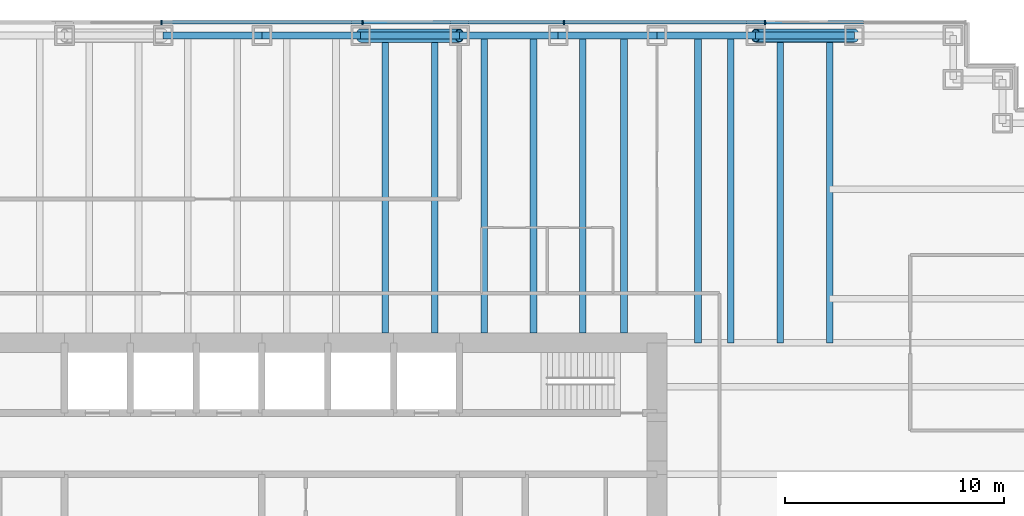
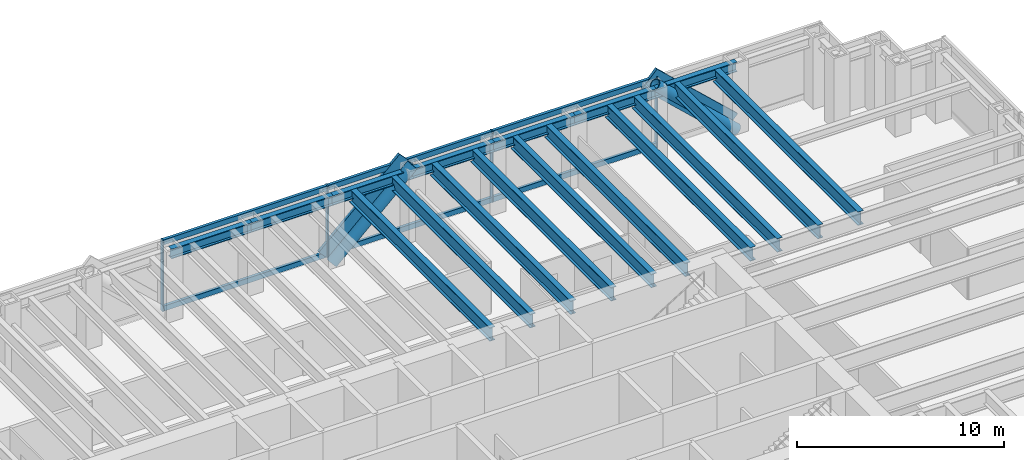
# One storey, part 7 of 17: 17 beams, 14 members, 1 element without a shape of its own.
"""IFC4 building model written with IfcOpenShell, lengths in metres."""

import ifcopenshell
import ifcopenshell.guid

model = None  # the IFC model being written
_history = None  # IfcOwnerHistory: only IFC2X3 demands one
_inside = {}  # id of a spatial element -> (the spatial element, [elements in it])
_under = {}  # id of a project, library or spatial element -> (it, [spatial elements below it])
_declared = {}  # id of a project -> (the project, [libraries it declares])
_typed = {}  # id of a type object -> (the type object, [elements of that type])
_made_of = {}  # id of a material, layer set ... -> (it, [elements and type objects made of it])


def new_model(schema):
    """Start an empty IFC model of exactly this schema.

    Asked for "IFC4X3", IfcOpenShell would pick the latest addendum, in which some entities
    have other attributes; the version numbers below select the first issue.
    IFC2X3 requires an IfcOwnerHistory on every rooted entity: one is made here for all.
    """
    global model, _history
    if schema == "IFC4X3":
        model = ifcopenshell.file(schema_version=(4, 3, 0, 0))
    else:
        model = ifcopenshell.file(schema=schema)
    _inside.clear()
    _under.clear()
    _declared.clear()
    _typed.clear()
    _made_of.clear()
    _history = None
    if model.schema == "IFC2X3":
        org = make("IfcOrganization", Name="unknown")
        user = make(
            "IfcPersonAndOrganization",
            ThePerson=make("IfcPerson", FamilyName="unknown"),
            TheOrganization=org,
        )
        app = make(
            "IfcApplication",
            ApplicationDeveloper=org,
            Version="unknown",
            ApplicationFullName="unknown",
            ApplicationIdentifier="unknown",
        )
        _history = make(
            "IfcOwnerHistory",
            OwningUser=user,
            OwningApplication=app,
            ChangeAction="ADDED",
            CreationDate=0,
        )
    return model


def make(cls, **values):
    """One entity of the class cls with the attributes given. An attribute that is None is left unset."""
    return model.create_entity(
        cls, **{name: value for name, value in values.items() if value is not None}
    )


def rooted(cls, **values):
    """An entity with a GlobalId (a new one), such as an element, a storey or a relation."""
    return make(cls, GlobalId=ifcopenshell.guid.new(), OwnerHistory=_history, **values)


def si_unit(unit_type, name, prefix=None):
    """IfcSIUnit, for example si_unit("LENGTHUNIT", "METRE", prefix="MILLI")."""
    return make("IfcSIUnit", UnitType=unit_type, Prefix=prefix, Name=name)


def assignment(units):
    """IfcUnitAssignment: the units of a project."""
    return None if units is None else make("IfcUnitAssignment", Units=units)


def point(xyz):
    """IfcCartesianPoint."""
    return None if xyz is None else make("IfcCartesianPoint", Coordinates=xyz)


def direction(xyz):
    """IfcDirection."""
    return None if xyz is None else make("IfcDirection", DirectionRatios=xyz)


def frame(location, z_axis=None, x_axis=None):
    """IfcAxis2Placement3D, a coordinate frame: its origin and axes. An axis left out is left unset."""
    return make(
        "IfcAxis2Placement3D",
        Location=point(location),
        Axis=direction(z_axis),
        RefDirection=direction(x_axis),
    )


def frame_2d(location, x_axis=None):
    """IfcAxis2Placement2D, a coordinate frame in the plane: its origin and x axis."""
    return make(
        "IfcAxis2Placement2D", Location=point(location), RefDirection=direction(x_axis)
    )


def origin():
    """The frame at (0, 0, 0) with its axes left unset."""
    return frame((0.0, 0.0, 0.0))


def origin_2d():
    """The frame at (0, 0) in the plane with its x axis left unset."""
    return frame_2d((0.0, 0.0))


def place(relative_to, where):
    """IfcLocalPlacement: puts the frame where relative to a parent placement (None: the world)."""
    return make(
        "IfcLocalPlacement", PlacementRelTo=relative_to, RelativePlacement=where
    )


def context(
    kind, dimensions, precision=None, world=None, true_north=None, identifier=None
):
    """IfcGeometricRepresentationContext, for example the 3D "Model" context."""
    return make(
        "IfcGeometricRepresentationContext",
        ContextIdentifier=identifier,
        ContextType=kind,
        CoordinateSpaceDimension=dimensions,
        Precision=precision,
        WorldCoordinateSystem=world,
        TrueNorth=true_north,
    )


def subcontext(parent, identifier, kind, view, scale=None):
    """IfcGeometricRepresentationSubContext, for example "Body" below "Model"."""
    return make(
        "IfcGeometricRepresentationSubContext",
        ContextIdentifier=identifier,
        ContextType=kind,
        ParentContext=parent,
        TargetScale=scale,
        TargetView=view,
    )


def project(units=None, contexts=None):
    """IfcProject with its units and contexts."""
    return rooted(
        "IfcProject",
        Name="project",
        RepresentationContexts=contexts,
        UnitsInContext=assignment(units),
    )


def spatial(cls, under=None, at=None, **own):
    """A site, building, storey or space (cls), placed at a placement, below another one or the project."""
    s = rooted(cls, ObjectPlacement=at, **own)
    if under is not None:
        _under.setdefault(under.id(), (under, []))[1].append(s)
    return s


def profile(cls, at=None, kind="AREA", **sizes):
    """A parametric profile (cls). Its sizes go by their IFC names, for example OverallWidth=200.0."""
    return make(cls, ProfileType=kind, Position=at, **sizes)


def rectangle(**sizes):
    """IfcRectangleProfileDef."""
    return profile("IfcRectangleProfileDef", **sizes)


def hollow_circle(**sizes):
    """IfcCircleHollowProfileDef."""
    return profile("IfcCircleHollowProfileDef", **sizes)


def i_section(**sizes):
    """IfcIShapeProfileDef."""
    return profile("IfcIShapeProfileDef", **sizes)


def extrude(swept, where, along, depth):
    """IfcExtrudedAreaSolid: the profile swept, set in the frame where, extruded along a direction by depth."""
    return make(
        "IfcExtrudedAreaSolid",
        SweptArea=swept,
        Position=where,
        ExtrudedDirection=direction(along),
        Depth=depth,
    )


def shape(context_of_items, identifier, shape_type, items):
    """IfcShapeRepresentation: the items that make up one representation, for example the "Body"."""
    return make(
        "IfcShapeRepresentation",
        ContextOfItems=context_of_items,
        RepresentationIdentifier=identifier,
        RepresentationType=shape_type,
        Items=items,
    )


def material(Name=None, Category=None):
    """IfcMaterial."""
    return make("IfcMaterial", Name=Name, Category=Category)


def material_profile(
    of_material, cross_section, Name=None, Category=None, Priority=None
):
    """IfcMaterialProfile: a cross section and its material."""
    return make(
        "IfcMaterialProfile",
        Name=Name,
        Material=of_material,
        Profile=cross_section,
        Priority=Priority,
        Category=Category,
    )


def profile_set(profiles, Name=None, composite=None):
    """IfcMaterialProfileSet."""
    return make(
        "IfcMaterialProfileSet",
        Name=Name,
        MaterialProfiles=profiles,
        CompositeProfile=composite,
    )


def made_of(thing, what):
    """Note that an element or type object is made of a material, layer set ...; save() writes the relation."""
    if what is not None:
        _made_of.setdefault(what.id(), (what, []))[1].append(thing)
    return thing


def type_object(cls, material=None, **own):
    """A type object (cls), such as IfcWallType, which elements share."""
    return made_of(rooted(cls, **own), material)


def element(
    cls,
    number,
    at=None,
    inside=None,
    cuts=None,
    type_object=None,
    material=None,
    context=None,
    identifier="Body",
    shape_type=None,
    held_by="IfcProductDefinitionShape",
    body=None,
    shapes=None,
    **own,
):
    """One element of the class cls, such as IfcWall. Its Tag is "e" and its number.

    at: its placement. inside: the storey or other place that contains it. cuts: it is an
    opening in that element (IfcRelVoidsElement). A single representation is given by context,
    identifier, shape_type and body (its items); several are given by shapes. held_by: the class
    of the entity that holds the representations. save() writes the other relations.
    """
    e = rooted(cls, Tag="e%d" % number, ObjectPlacement=at, **own)
    if body is not None:
        shapes = [shape(context, identifier, shape_type, body)]
    if shapes is not None:
        e.Representation = make(held_by, Representations=shapes)
    if inside is not None:
        _inside.setdefault(inside.id(), (inside, []))[1].append(e)
    if cuts is not None:
        rooted(
            "IfcRelVoidsElement", RelatingBuildingElement=cuts, RelatedOpeningElement=e
        )
    if type_object is not None:
        _typed.setdefault(type_object.id(), (type_object, []))[1].append(e)
    return made_of(e, material)


def aggregate(whole, parts):
    """IfcRelAggregates: a whole, such as a stair, and the parts it consists of."""
    return rooted("IfcRelAggregates", RelatingObject=whole, RelatedObjects=parts)


def save(model, path):
    """Write the relations noted so far, then the file.

    IfcRelAggregates (storeys below a building ...), IfcRelContainedInSpatialStructure (elements
    in a storey), IfcRelDefinesByType, IfcRelAssociatesMaterial and IfcRelDeclares: one each for
    every whole, place, type object, material and project.
    """
    for whole, parts in _under.values():
        aggregate(whole, parts)
    for where, things in _inside.values():
        rooted(
            "IfcRelContainedInSpatialStructure",
            RelatedElements=things,
            RelatingStructure=where,
        )
    for kind, things in _typed.values():
        rooted("IfcRelDefinesByType", RelatedObjects=things, RelatingType=kind)
    for what, things in _made_of.values():
        rooted("IfcRelAssociatesMaterial", RelatedObjects=things, RelatingMaterial=what)
    for by, libraries in _declared.values():
        rooted("IfcRelDeclares", RelatingContext=by, RelatedDefinitions=libraries)
    model.write(path)


model = new_model("IFC4")

# Units and contexts
model_context = context("Model", 3, precision=1e-05, world=origin(), true_north=direction((0.0, 1.0)))
body_context = subcontext(model_context, "Body", "Model", "MODEL_VIEW")
ifc_project = project(units=[si_unit("LENGTHUNIT", "METRE"), si_unit("AREAUNIT", "SQUARE_METRE"), si_unit("VOLUMEUNIT", "CUBIC_METRE"), si_unit("PLANEANGLEUNIT", "RADIAN"), si_unit("MASSUNIT", "GRAM", prefix="KILO")], contexts=[model_context])

# Site, building, storey
site_placement = place(None, origin())
site = spatial("IfcSite", under=ifc_project, at=site_placement, CompositionType="ELEMENT")
building_placement = place(site_placement, origin())
building = spatial("IfcBuilding", under=site, at=building_placement, Name="Rheinbord Bourse Tower", CompositionType="ELEMENT")
storey_placement = place(building_placement, frame((0.0, 0.0, 129.89990234375)))
storey = spatial("IfcBuildingStorey", under=building, at=storey_placement, Name="L28", CompositionType="ELEMENT", Elevation=129.89990234375)

# Curtain wall, members
ifc_material_1 = material(Name="Dark glass and black aluminium", Category="aluminium")
curtain_wall_type = type_object("IfcCurtainWallType", Name="CW2 DARK GLASS CURTAIN WALL", PredefinedType="USERDEFINED", material=ifc_material_1)
curtain_wall_placement = place(storey_placement, origin())
curtain_wall = element("IfcCurtainWall", 1, at=curtain_wall_placement, inside=storey, type_object=curtain_wall_type, Name="Curtain wall CW2 N L28", ObjectType="UNITISED CURTAIN WALL", PredefinedType="USERDEFINED")
ifc_material_2 = material(Name="Black anodised aluminium", Category="aluminium")
ifc_material_profile_1 = material_profile(ifc_material_2, rectangle(XDim=0.159912109375, YDim=1.2099609375, at=origin_2d()), Name="CW2 DIAGONAL MULLION 1210x160")
ifc_profile_set_1 = profile_set([ifc_material_profile_1], Name="Black anodised aluminium")
member_type_1 = type_object("IfcMemberType", Name="CW2 BLACK DIAGONAL MULLION", PredefinedType="USERDEFINED", material=ifc_profile_set_1)
member_1_placement = place(storey_placement, frame((63.0, 46.60009765625, 0.0), z_axis=(-0.731039441158, 0.0, 0.682335207557), x_axis=(0.0, -1.0, 0.0)))
member_1 = element("IfcMember", 2, at=member_1_placement, type_object=member_type_1, Name="CW2 diagonal mullion b", ObjectType="DIAGONAL MULLION", PredefinedType="USERDEFINED", context=body_context, shape_type="SweptSolid", body=[
    extrude(rectangle(XDim=0.159912109375, YDim=1.2099609375, at=origin_2d()), origin(), (0.0, 0.0, 1.0), 6.155517578125),
])
member_2_placement = place(storey_placement, frame((40.5, 46.60009765625, 0.0), z_axis=(0.731039441158, 0.0, 0.682335207557), x_axis=(0.0, 1.0, 0.0)))
member_2 = element("IfcMember", 3, at=member_2_placement, type_object=member_type_1, Name="CW2 diagonal mullion c", ObjectType="DIAGONAL MULLION", PredefinedType="USERDEFINED", context=body_context, shape_type="SweptSolid", body=[
    extrude(rectangle(XDim=0.159912109375, YDim=1.2099609375, at=origin_2d()), origin(), (0.0, 0.0, 1.0), 6.155517578125),
])
ifc_material_3 = material(Name="Black anodised aluminium", Category="aluminium")
ifc_material_profile_2 = material_profile(ifc_material_3, rectangle(XDim=0.219970703125, YDim=0.070068359375, at=origin_2d()), Name="CW2 MULLION 70x220")
ifc_profile_set_2 = profile_set([ifc_material_profile_2], Name="Black anodised aluminium")
member_type_2 = type_object("IfcMemberType", Name="CW2 BLACK MULLION", PredefinedType="MULLION", material=ifc_profile_set_2)
member_3_placement = place(storey_placement, frame((58.928466796875, 46.60009765625, 0.0), z_axis=(0.0, 0.0, 1.0), x_axis=(0.0, -1.0, 0.0)))
member_3 = element("IfcMember", 4, at=member_3_placement, type_object=member_type_2, Name="CW2 mullion 2", PredefinedType="MULLION", context=body_context, shape_type="SweptSolid", body=[
    extrude(rectangle(XDim=0.219970703125, YDim=0.070068359375, at=origin_2d()), origin(), (0.0, 0.0, 1.0), 4.2001953125),
])
member_4_placement = place(storey_placement, frame((49.757080078125, 46.60009765625, 0.0), z_axis=(0.0, 0.0, 1.0), x_axis=(0.0, -1.0, 0.0)))
member_4 = element("IfcMember", 5, at=member_4_placement, type_object=member_type_2, Name="CW2 mullion 3", PredefinedType="MULLION", context=body_context, shape_type="SweptSolid", body=[
    extrude(rectangle(XDim=0.219970703125, YDim=0.070068359375, at=origin_2d()), origin(), (0.0, 0.0, 1.0), 4.2001953125),
])
member_5_placement = place(storey_placement, frame((40.585693359375, 46.60009765625, 0.0), z_axis=(0.0, 0.0, 1.0), x_axis=(0.0, -1.0, 0.0)))
member_5 = element("IfcMember", 6, at=member_5_placement, type_object=member_type_2, Name="CW2 mullion 4", PredefinedType="MULLION", context=body_context, shape_type="SweptSolid", body=[
    extrude(rectangle(XDim=0.219970703125, YDim=0.070068359375, at=origin_2d()), origin(), (0.0, 0.0, 1.0), 4.2001953125),
])
member_6_placement = place(storey_placement, frame((31.414306640625, 46.60009765625, 0.0), z_axis=(0.0, 0.0, 1.0), x_axis=(0.0, -1.0, 0.0)))
member_6 = element("IfcMember", 7, at=member_6_placement, type_object=member_type_2, Name="CW2 mullion 5", PredefinedType="MULLION", context=body_context, shape_type="SweptSolid", body=[
    extrude(rectangle(XDim=0.219970703125, YDim=0.070068359375, at=origin_2d()), origin(), (0.0, 0.0, 1.0), 4.2001953125),
])
ifc_material_4 = material(Name="Black anodised aluminium", Category="aluminium")
ifc_material_profile_3 = material_profile(ifc_material_4, rectangle(XDim=0.159912109375, YDim=0.300048828125, at=origin_2d()), Name="CW2 TRANSOM 300x160")
ifc_profile_set_3 = profile_set([ifc_material_profile_3], Name="Black anodised aluminium")
member_type_3 = type_object("IfcMemberType", Name="CW2 BLACK TRANSOM", PredefinedType="USERDEFINED", material=ifc_profile_set_3)
member_7_placement = place(storey_placement, frame((58.8935546875, 46.60009765625, 0.150146484375), z_axis=(-1.0, 0.0, 0.0), x_axis=(0.0, -1.0, 0.0)))
member_7 = element("IfcMember", 8, at=member_7_placement, type_object=member_type_3, Name="CW2 transom 2.1", ObjectType="TRANSOM", PredefinedType="USERDEFINED", context=body_context, shape_type="SweptSolid", body=[
    extrude(rectangle(XDim=0.159912109375, YDim=0.300048828125, at=origin_2d()), origin(), (0.0, 0.0, 1.0), 9.101318359375),
])
member_8_placement = place(storey_placement, frame((58.8935546875, 46.60009765625, 4.050048828125), z_axis=(-1.0, 0.0, 0.0), x_axis=(0.0, -1.0, 0.0)))
member_8 = element("IfcMember", 9, at=member_8_placement, type_object=member_type_3, Name="CW2 transom 2.2", ObjectType="TRANSOM", PredefinedType="USERDEFINED", context=body_context, shape_type="SweptSolid", body=[
    extrude(rectangle(XDim=0.159912109375, YDim=0.300048828125, at=origin_2d()), origin(), (0.0, 0.0, 1.0), 9.101318359375),
])
member_9_placement = place(storey_placement, frame((49.72216796875, 46.60009765625, 0.150146484375), z_axis=(-1.0, 0.0, 0.0), x_axis=(0.0, -1.0, 0.0)))
member_9 = element("IfcMember", 10, at=member_9_placement, type_object=member_type_3, Name="CW2 transom 3.1", ObjectType="TRANSOM", PredefinedType="USERDEFINED", context=body_context, shape_type="SweptSolid", body=[
    extrude(rectangle(XDim=0.159912109375, YDim=0.300048828125, at=origin_2d()), origin(), (0.0, 0.0, 1.0), 9.1015625),
])
member_10_placement = place(storey_placement, frame((49.72216796875, 46.60009765625, 4.050048828125), z_axis=(-1.0, 0.0, 0.0), x_axis=(0.0, -1.0, 0.0)))
member_10 = element("IfcMember", 11, at=member_10_placement, type_object=member_type_3, Name="CW2 transom 3.2", ObjectType="TRANSOM", PredefinedType="USERDEFINED", context=body_context, shape_type="SweptSolid", body=[
    extrude(rectangle(XDim=0.159912109375, YDim=0.300048828125, at=origin_2d()), origin(), (0.0, 0.0, 1.0), 9.1015625),
])
member_11_placement = place(storey_placement, frame((40.55078125, 46.60009765625, 0.150146484375), z_axis=(-1.0, 0.0, 0.0), x_axis=(0.0, -1.0, 0.0)))
member_11 = element("IfcMember", 12, at=member_11_placement, type_object=member_type_3, Name="CW2 transom 4.1", ObjectType="TRANSOM", PredefinedType="USERDEFINED", context=body_context, shape_type="SweptSolid", body=[
    extrude(rectangle(XDim=0.159912109375, YDim=0.300048828125, at=origin_2d()), origin(), (0.0, 0.0, 1.0), 9.1015625),
])
member_12_placement = place(storey_placement, frame((40.55078125, 46.60009765625, 4.050048828125), z_axis=(-1.0, 0.0, 0.0), x_axis=(0.0, -1.0, 0.0)))
member_12 = element("IfcMember", 13, at=member_12_placement, type_object=member_type_3, Name="CW2 transom 4.2", ObjectType="TRANSOM", PredefinedType="USERDEFINED", context=body_context, shape_type="SweptSolid", body=[
    extrude(rectangle(XDim=0.159912109375, YDim=0.300048828125, at=origin_2d()), origin(), (0.0, 0.0, 1.0), 9.1015625),
])
aggregate(curtain_wall, [member_3, member_4, member_5, member_6, member_7, member_8, member_9, member_10, member_11, member_12, member_1, member_2])

# Beams
ifc_material_5 = material(Name="Steel S460", Category="steel")
ifc_material_profile_4 = material_profile(ifc_material_5, i_section(OverallWidth=0.300048828125, OverallDepth=0.800048828125, WebThickness=0.017578125, FlangeThickness=0.032958984375, at=origin_2d()), Name="HEB 800")
ifc_profile_set_4 = profile_set([ifc_material_profile_4], Name="Steel S460")
beam_type_1 = type_object("IfcBeamType", Name="FLOOR BEAM HEB 800", PredefinedType="BEAM", material=ifc_profile_set_4)
for number, where, z_axis, x_axis, name in (
    (14, (41.625, 46.0, 3.64013671875), (0.0, -1.0, 0.0), (1.0, 0.0, 0.0), "Floor beam N-40.5a L29"),
    (15, (43.875, 46.0, 3.64013671875), (0.0, -1.0, 0.0), (1.0, 0.0, 0.0), "Floor beam N-40.5b L29"),
    (16, (46.125, 46.0, 3.64013671875), (0.0, -1.0, 0.0), (1.0, 0.0, 0.0), "Floor beam N-45a L29"),
    (17, (48.375, 46.0, 3.64013671875), (0.0, -1.0, 0.0), (1.0, 0.0, 0.0), "Floor beam N-45b L29"),
    (18, (50.625, 46.0, 3.64013671875), (0.0, -1.0, 0.0), (1.0, 0.0, 0.0), "Floor beam N-49.5a L29"),
    (19, (52.5, 46.0, 3.64013671875), (0.0, -1.0, 0.0), (1.0, 0.0, 0.0), "Floor beam N-49.5b L29"),
):
    element("IfcBeam", number, at=place(storey_placement, frame(where, z_axis=z_axis, x_axis=x_axis)), inside=storey, type_object=beam_type_1, Name=name, PredefinedType="BEAM", context=body_context, shape_type="SweptSolid", body=[
        extrude(i_section(OverallWidth=0.300048828125, OverallDepth=0.800048828125, WebThickness=0.017578125, FlangeThickness=0.032958984375, at=origin_2d()), origin(), (0.0, 0.0, 1.0), 13.550048828125),
    ])
for number, where, z_axis, x_axis, name in (
    (20, (55.875, 46.0, 3.64013671875), (0.0, -1.0, 0.0), (1.0, 0.0, 0.0), "Floor beam N-54a L29"),
    (21, (57.375, 46.0, 3.64013671875), (0.0, -1.0, 0.0), (1.0, 0.0, 0.0), "Floor beam N-54b L29"),
    (22, (59.625, 46.0, 3.64013671875), (0.0, -1.0, 0.0), (1.0, 0.0, 0.0), "Floor beam N-58.5a L29"),
    (23, (61.875, 46.0, 3.64013671875), (0.0, -1.0, 0.0), (1.0, 0.0, 0.0), "Floor beam N-58.5b L29"),
):
    element("IfcBeam", number, at=place(storey_placement, frame(where, z_axis=z_axis, x_axis=x_axis)), inside=storey, type_object=beam_type_1, Name=name, PredefinedType="BEAM", context=body_context, shape_type="SweptSolid", body=[
        extrude(i_section(OverallWidth=0.300048828125, OverallDepth=0.800048828125, WebThickness=0.017578125, FlangeThickness=0.032958984375, at=origin_2d()), origin(), (0.0, 0.0, 1.0), 14.0),
    ])

# Members
ifc_material_6 = material(Name="Steel S460", Category="steel")
ifc_material_profile_5 = material_profile(ifc_material_6, hollow_circle(Radius=0.304931640625, WallThickness=0.0400390625, at=origin_2d()), Name="CHS 610x40")
ifc_profile_set_5 = profile_set([ifc_material_profile_5], Name="Steel S460")
member_type_4 = type_object("IfcMemberType", Name="MEGABRACE CHS 610x40", PredefinedType="BRACE", material=ifc_profile_set_5)
for number, where, z_axis, x_axis, name in (
    (24, (63.0, 46.0, 0.0), (-0.731039441158, 0.0, 0.682335207557), (0.0, -1.0, 0.0), "Megabrace N face line b L28"),
    (25, (40.5, 46.0, 0.0), (0.731039441158, 0.0, 0.682335207557), (0.0, 1.0, 0.0), "Megabrace N face line c L28"),
):
    element("IfcMember", number, at=place(storey_placement, frame(where, z_axis=z_axis, x_axis=x_axis)), inside=storey, type_object=member_type_4, Name=name, PredefinedType="BRACE", context=body_context, shape_type="SweptSolid", body=[
        extrude(hollow_circle(Radius=0.304931640625, WallThickness=0.0400390625, at=origin_2d()), origin(), (0.0, 0.0, 1.0), 6.155517578125),
    ])

# Beams
ifc_material_7 = material(Name="Steel S460", Category="steel")
ifc_material_profile_6 = material_profile(ifc_material_7, i_section(OverallWidth=0.305908203125, OverallDepth=0.572021484375, WebThickness=0.02099609375, FlangeThickness=0.0400390625, at=origin_2d()), Name="HEM 550")
ifc_profile_set_6 = profile_set([ifc_material_profile_6], Name="Steel S460")
beam_type_2 = type_object("IfcBeamType", Name="SPANDREL HEM 550", PredefinedType="SPANDREL", material=ifc_profile_set_6)
for number, where, z_axis, x_axis, name in (
    (26, (63.0, 46.0, 3.754150390625), (-1.0, 0.0, 0.0), (0.0, -1.0, 0.0), "Spandrel N-63-N-58.5 under L29"),
    (27, (58.5, 46.0, 3.754150390625), (-1.0, 0.0, 0.0), (0.0, -1.0, 0.0), "Spandrel N-58.5-N-54 under L29"),
    (28, (54.0, 46.0, 3.754150390625), (-1.0, 0.0, 0.0), (0.0, -1.0, 0.0), "Spandrel N-54-N-49.5 under L29"),
    (29, (49.5, 46.0, 3.754150390625), (-1.0, 0.0, 0.0), (0.0, -1.0, 0.0), "Spandrel N-49.5-N-45 under L29"),
    (30, (45.0, 46.0, 3.754150390625), (-1.0, 0.0, 0.0), (0.0, -1.0, 0.0), "Spandrel N-45-N-40.5 under L29"),
    (31, (40.5, 46.0, 3.754150390625), (-1.0, 0.0, 0.0), (0.0, -1.0, 0.0), "Spandrel N-40.5-N-36 under L29"),
    (32, (36.0, 46.0, 3.754150390625), (-1.0, 0.0, 0.0), (0.0, -1.0, 0.0), "Spandrel N-36-N-31.5 under L29"),
):
    element("IfcBeam", number, at=place(storey_placement, frame(where, z_axis=z_axis, x_axis=x_axis)), inside=storey, type_object=beam_type_2, Name=name, PredefinedType="SPANDREL", context=body_context, shape_type="SweptSolid", body=[
        extrude(i_section(OverallWidth=0.305908203125, OverallDepth=0.572021484375, WebThickness=0.02099609375, FlangeThickness=0.0400390625, at=origin_2d()), origin(), (0.0, 0.0, 1.0), 4.5),
    ])

save(model, "model.ifc")
